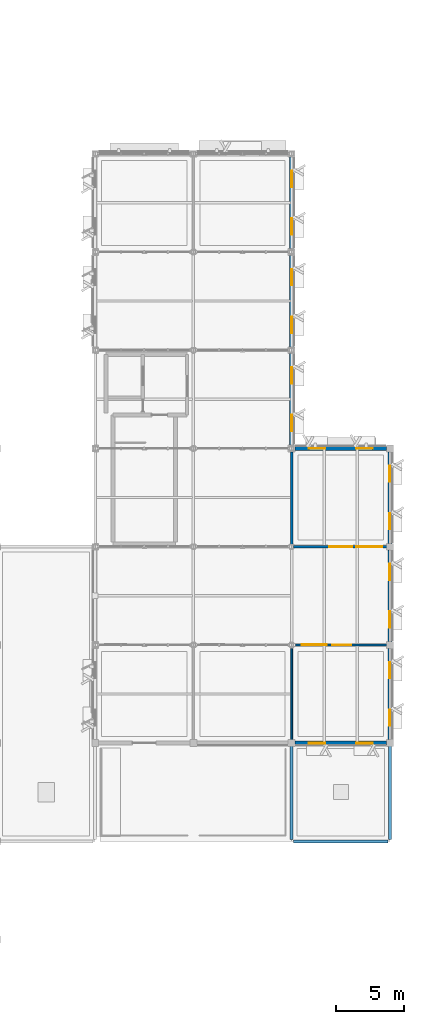
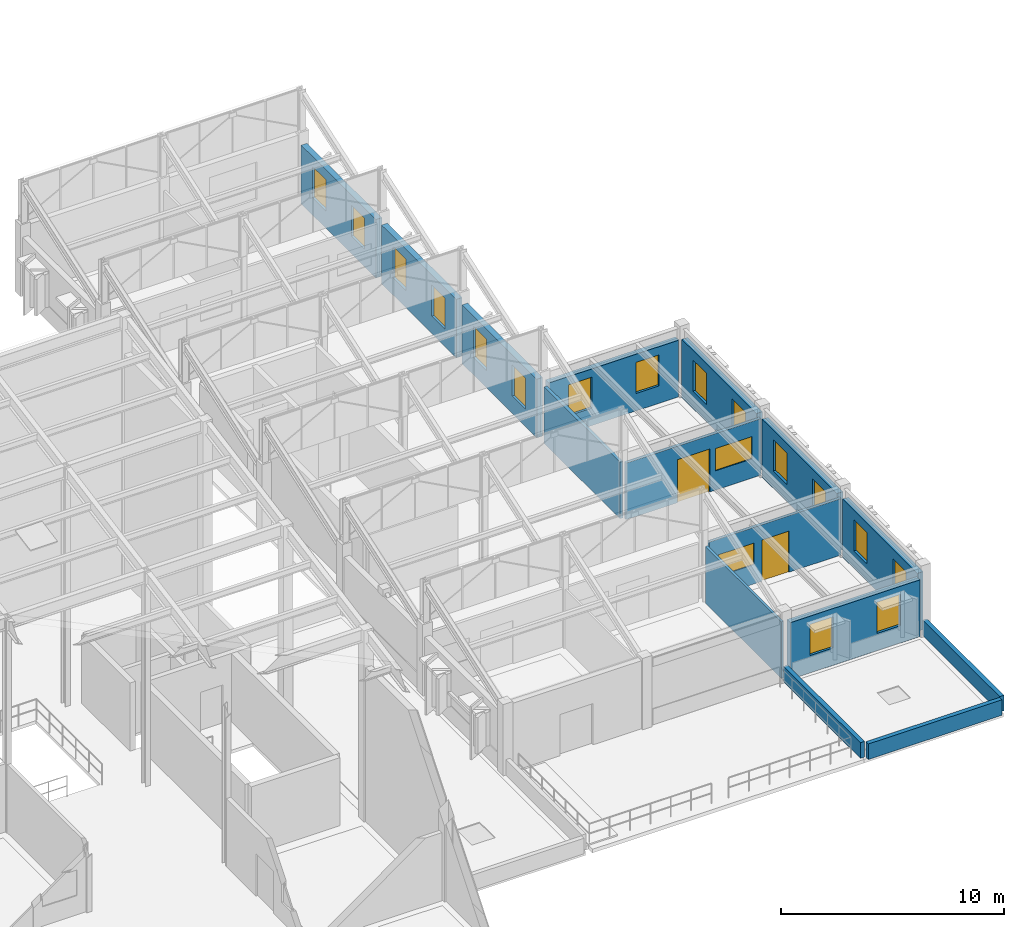
# One storey, part 41 of 82: 18 windows, 15 walls, 2 doors, 20 openings.
"""IFC4 building model written with IfcOpenShell, lengths in metres."""

from ifc_helpers import new_model, si_unit, direction, frame, frame_2d, origin, place, context, subcontext, project, spatial, rectangle, extrude, material, layer, layer_set, type_object, element, fill, save


model = new_model("IFC4")

# Units and contexts
model_context = context("Model", 3, precision=1e-05, world=origin(), true_north=direction((0.0, 1.0)))
body_context = subcontext(model_context, "Body", "Model", "MODEL_VIEW")
ifc_project = project(units=[si_unit("LENGTHUNIT", "METRE"), si_unit("AREAUNIT", "SQUARE_METRE"), si_unit("VOLUMEUNIT", "CUBIC_METRE"), si_unit("PLANEANGLEUNIT", "RADIAN"), si_unit("MASSUNIT", "GRAM", prefix="KILO")], contexts=[model_context])

# Site, building, storey
site_placement = place(None, origin())
site = spatial("IfcSite", under=ifc_project, at=site_placement, CompositionType="ELEMENT")
building_placement = place(site_placement, origin())
building = spatial("IfcBuilding", under=site, at=building_placement, Name="Sillqori Civic Hall", CompositionType="ELEMENT")
storey_placement = place(building_placement, frame((0.0, 0.0, 14.10009765625)))
storey = spatial("IfcBuildingStorey", under=building, at=storey_placement, Name="L04", CompositionType="ELEMENT", Elevation=14.10009765625)

# Wall, openings, windows
ifc_material_1 = material(Name="Precast concrete C40/50 (H40)", Category="concrete")
ifc_layer_1 = layer(ifc_material_1, 0.300048828125)
ifc_layer_set_1 = layer_set([ifc_layer_1], Name="Precast concrete C40/50 (H40)")
wall_type_1 = type_object("IfcWallType", Name="EW-LIME-300", PredefinedType="SOLIDWALL", material=ifc_layer_set_1)
wall_1_placement = place(storey_placement, frame((136.800048828125, 64.550048828125, 0.0), z_axis=(0.0, 0.0, 1.0), x_axis=(0.0, -1.0, 0.0)))
wall_1 = element("IfcWall", 1, at=wall_1_placement, inside=storey, type_object=wall_type_1, Name="L04 V3 exterior wall L04-18-08-E", PredefinedType="SOLIDWALL", context=body_context, shape_type="SweptSolid", body=[
    extrude(rectangle(XDim=6.699951171875, YDim=0.300048828125, at=frame_2d((3.35009765625, 0.0))), origin(), (0.0, 0.0, 1.0), 3.199951171875),
])
opening_1_placement = place(wall_1_placement, frame((1.008056640625, 0.0, 0.949951171875)))
opening_1 = element("IfcOpeningElement", 2, at=opening_1_placement, cuts=wall_1, Name="Opening W-22", PredefinedType="OPENING", context=body_context, shape_type="SweptSolid", body=[
    extrude(rectangle(XDim=1.199951171875, YDim=1.699951171875, at=frame_2d((0.60009765625, 0.85009765625))), frame((0.0, 0.159912109375, 0.0), z_axis=(0.0, -1.0, 0.0), x_axis=(1.0, 0.0, 0.0)), (0.0, 0.0, 1.0), 0.320068359375),
])
opening_2_placement = place(wall_1_placement, frame((4.491943359375, 0.0, 0.949951171875)))
opening_2 = element("IfcOpeningElement", 3, at=opening_2_placement, cuts=wall_1, Name="Opening W-22", PredefinedType="OPENING", context=body_context, shape_type="SweptSolid", body=[
    extrude(rectangle(XDim=1.199951171875, YDim=1.699951171875, at=frame_2d((0.60009765625, 0.85009765625))), frame((0.0, 0.159912109375, 0.0), z_axis=(0.0, -1.0, 0.0), x_axis=(1.0, 0.0, 0.0)), (0.0, 0.0, 1.0), 0.320068359375),
])
ifc_material_2 = material(Name="Thermally Broken Aluminium Low-E Window", Category="aluminium")
window_type_1 = type_object("IfcWindowType", Name="WIN-V5-120X170", PartitioningType="SINGLE_PANEL", PredefinedType="WINDOW", material=ifc_material_2)
window_1_placement = place(opening_1_placement, origin())
window_1 = element("IfcWindow", 4, at=window_1_placement, inside=storey, type_object=window_type_1, Name="L04 V3 window L04-18-08-E.1", OverallHeight=1.699951171875, OverallWidth=1.199951171875, PartitioningType="SINGLE_PANEL", PredefinedType="WINDOW", context=body_context, shape_type="SweptSolid", body=[
    extrude(rectangle(XDim=1.199951171875, YDim=1.699951171875, at=frame_2d((0.60009765625, 0.85009765625))), frame((0.0, 0.030029296875, 0.0), z_axis=(0.0, -1.0, 0.0), x_axis=(1.0, 0.0, 0.0)), (0.0, 0.0, 1.0), 0.06005859375),
])
fill(opening_1, window_1)
window_2_placement = place(opening_2_placement, origin())
window_2 = element("IfcWindow", 5, at=window_2_placement, inside=storey, type_object=window_type_1, Name="L04 V3 window L04-18-08-E.2", OverallHeight=1.699951171875, OverallWidth=1.199951171875, PartitioningType="SINGLE_PANEL", PredefinedType="WINDOW", context=body_context, shape_type="SweptSolid", body=[
    extrude(rectangle(XDim=1.199951171875, YDim=1.699951171875, at=frame_2d((0.60009765625, 0.85009765625))), frame((0.0, 0.030029296875, 0.0), z_axis=(0.0, -1.0, 0.0), x_axis=(1.0, 0.0, 0.0)), (0.0, 0.0, 1.0), 0.06005859375),
])
fill(opening_2, window_2)

wall_2_placement = place(storey_placement, frame((136.800048828125, 71.75, 0.0), z_axis=(0.0, 0.0, 1.0), x_axis=(0.0, -1.0, 0.0)))
wall_2 = element("IfcWall", 6, at=wall_2_placement, inside=storey, type_object=wall_type_1, Name="L04 V3 exterior wall L04-18-09-E", PredefinedType="SOLIDWALL", context=body_context, shape_type="SweptSolid", body=[
    extrude(rectangle(XDim=6.699951171875, YDim=0.300048828125, at=frame_2d((3.35009765625, 0.0))), origin(), (0.0, 0.0, 1.0), 3.199951171875),
])
opening_3_placement = place(wall_2_placement, frame((1.008056640625, 0.0, 0.949951171875)))
opening_3 = element("IfcOpeningElement", 7, at=opening_3_placement, cuts=wall_2, Name="Opening W-22", PredefinedType="OPENING", context=body_context, shape_type="SweptSolid", body=[
    extrude(rectangle(XDim=1.199951171875, YDim=1.699951171875, at=frame_2d((0.60009765625, 0.85009765625))), frame((0.0, 0.159912109375, 0.0), z_axis=(0.0, -1.0, 0.0), x_axis=(1.0, 0.0, 0.0)), (0.0, 0.0, 1.0), 0.320068359375),
])
opening_4_placement = place(wall_2_placement, frame((4.491943359375, 0.0, 0.949951171875)))
opening_4 = element("IfcOpeningElement", 8, at=opening_4_placement, cuts=wall_2, Name="Opening W-22", PredefinedType="OPENING", context=body_context, shape_type="SweptSolid", body=[
    extrude(rectangle(XDim=1.199951171875, YDim=1.699951171875, at=frame_2d((0.60009765625, 0.85009765625))), frame((0.0, 0.159912109375, 0.0), z_axis=(0.0, -1.0, 0.0), x_axis=(1.0, 0.0, 0.0)), (0.0, 0.0, 1.0), 0.320068359375),
])
window_3_placement = place(opening_3_placement, origin())
window_3 = element("IfcWindow", 9, at=window_3_placement, inside=storey, type_object=window_type_1, Name="L04 V3 window L04-18-09-E.1", OverallHeight=1.699951171875, OverallWidth=1.199951171875, PartitioningType="SINGLE_PANEL", PredefinedType="WINDOW", context=body_context, shape_type="SweptSolid", body=[
    extrude(rectangle(XDim=1.199951171875, YDim=1.699951171875, at=frame_2d((0.60009765625, 0.85009765625))), frame((0.0, 0.030029296875, 0.0), z_axis=(0.0, -1.0, 0.0), x_axis=(1.0, 0.0, 0.0)), (0.0, 0.0, 1.0), 0.06005859375),
])
fill(opening_3, window_3)
window_4_placement = place(opening_4_placement, origin())
window_4 = element("IfcWindow", 10, at=window_4_placement, inside=storey, type_object=window_type_1, Name="L04 V3 window L04-18-09-E.2", OverallHeight=1.699951171875, OverallWidth=1.199951171875, PartitioningType="SINGLE_PANEL", PredefinedType="WINDOW", context=body_context, shape_type="SweptSolid", body=[
    extrude(rectangle(XDim=1.199951171875, YDim=1.699951171875, at=frame_2d((0.60009765625, 0.85009765625))), frame((0.0, 0.030029296875, 0.0), z_axis=(0.0, -1.0, 0.0), x_axis=(1.0, 0.0, 0.0)), (0.0, 0.0, 1.0), 0.06005859375),
])
fill(opening_4, window_4)

wall_3_placement = place(storey_placement, frame((136.800048828125, 78.949951171875, 0.0), z_axis=(0.0, 0.0, 1.0), x_axis=(0.0, -1.0, 0.0)))
wall_3 = element("IfcWall", 11, at=wall_3_placement, inside=storey, type_object=wall_type_1, Name="L04 V3 exterior wall L04-18-10-E", PredefinedType="SOLIDWALL", context=body_context, shape_type="SweptSolid", body=[
    extrude(rectangle(XDim=6.699951171875, YDim=0.300048828125, at=frame_2d((3.35009765625, 0.0))), origin(), (0.0, 0.0, 1.0), 3.199951171875),
])
opening_5_placement = place(wall_3_placement, frame((1.008056640625, 0.0, 0.949951171875)))
opening_5 = element("IfcOpeningElement", 12, at=opening_5_placement, cuts=wall_3, Name="Opening W-22", PredefinedType="OPENING", context=body_context, shape_type="SweptSolid", body=[
    extrude(rectangle(XDim=1.199951171875, YDim=1.699951171875, at=frame_2d((0.60009765625, 0.85009765625))), frame((0.0, 0.159912109375, 0.0), z_axis=(0.0, -1.0, 0.0), x_axis=(1.0, 0.0, 0.0)), (0.0, 0.0, 1.0), 0.320068359375),
])
opening_6_placement = place(wall_3_placement, frame((4.491943359375, 0.0, 0.949951171875)))
opening_6 = element("IfcOpeningElement", 13, at=opening_6_placement, cuts=wall_3, Name="Opening W-22", PredefinedType="OPENING", context=body_context, shape_type="SweptSolid", body=[
    extrude(rectangle(XDim=1.199951171875, YDim=1.699951171875, at=frame_2d((0.60009765625, 0.85009765625))), frame((0.0, 0.159912109375, 0.0), z_axis=(0.0, -1.0, 0.0), x_axis=(1.0, 0.0, 0.0)), (0.0, 0.0, 1.0), 0.320068359375),
])
window_5_placement = place(opening_5_placement, origin())
window_5 = element("IfcWindow", 14, at=window_5_placement, inside=storey, type_object=window_type_1, Name="L04 V3 window L04-18-10-E.1", OverallHeight=1.699951171875, OverallWidth=1.199951171875, PartitioningType="SINGLE_PANEL", PredefinedType="WINDOW", context=body_context, shape_type="SweptSolid", body=[
    extrude(rectangle(XDim=1.199951171875, YDim=1.699951171875, at=frame_2d((0.60009765625, 0.85009765625))), frame((0.0, 0.030029296875, 0.0), z_axis=(0.0, -1.0, 0.0), x_axis=(1.0, 0.0, 0.0)), (0.0, 0.0, 1.0), 0.06005859375),
])
fill(opening_5, window_5)
window_6_placement = place(opening_6_placement, origin())
window_6 = element("IfcWindow", 15, at=window_6_placement, inside=storey, type_object=window_type_1, Name="L04 V3 window L04-18-10-E.2", OverallHeight=1.699951171875, OverallWidth=1.199951171875, PartitioningType="SINGLE_PANEL", PredefinedType="WINDOW", context=body_context, shape_type="SweptSolid", body=[
    extrude(rectangle(XDim=1.199951171875, YDim=1.699951171875, at=frame_2d((0.60009765625, 0.85009765625))), frame((0.0, 0.030029296875, 0.0), z_axis=(0.0, -1.0, 0.0), x_axis=(1.0, 0.0, 0.0)), (0.0, 0.0, 1.0), 0.06005859375),
])
fill(opening_6, window_6)

wall_4_placement = place(storey_placement, frame((143.75, 36.0, 0.0), z_axis=(0.0, 0.0, 1.0), x_axis=(-1.0, 0.0, 0.0)))
wall_4 = element("IfcWall", 16, at=wall_4_placement, inside=storey, type_object=wall_type_1, Name="L04 V3 exterior wall L04-19-05-S", PredefinedType="SOLIDWALL", context=body_context, shape_type="SweptSolid", body=[
    extrude(rectangle(XDim=6.699951171875, YDim=0.300048828125, at=frame_2d((3.35009765625, 0.0))), origin(), (0.0, 0.0, 1.0), 3.097900390625),
])
opening_7_placement = place(wall_4_placement, frame((1.008056640625, 0.0, 0.949951171875)))
opening_7 = element("IfcOpeningElement", 17, at=opening_7_placement, cuts=wall_4, Name="Opening W-22", PredefinedType="OPENING", context=body_context, shape_type="SweptSolid", body=[
    extrude(rectangle(XDim=1.199951171875, YDim=1.699951171875, at=frame_2d((0.60009765625, 0.85009765625))), frame((0.0, 0.159912109375, 0.0), z_axis=(0.0, -1.0, 0.0), x_axis=(1.0, 0.0, 0.0)), (0.0, 0.0, 1.0), 0.320068359375),
])
opening_8_placement = place(wall_4_placement, frame((4.491943359375, 0.0, 0.949951171875)))
opening_8 = element("IfcOpeningElement", 18, at=opening_8_placement, cuts=wall_4, Name="Opening W-22", PredefinedType="OPENING", context=body_context, shape_type="SweptSolid", body=[
    extrude(rectangle(XDim=1.199951171875, YDim=1.699951171875, at=frame_2d((0.60009765625, 0.85009765625))), frame((0.0, 0.159912109375, 0.0), z_axis=(0.0, -1.0, 0.0), x_axis=(1.0, 0.0, 0.0)), (0.0, 0.0, 1.0), 0.320068359375),
])
window_7_placement = place(opening_7_placement, origin())
window_7 = element("IfcWindow", 19, at=window_7_placement, inside=storey, type_object=window_type_1, Name="L04 V3 window L04-19-05-S.1", OverallHeight=1.699951171875, OverallWidth=1.199951171875, PartitioningType="SINGLE_PANEL", PredefinedType="WINDOW", context=body_context, shape_type="SweptSolid", body=[
    extrude(rectangle(XDim=1.199951171875, YDim=1.699951171875, at=frame_2d((0.60009765625, 0.85009765625))), frame((0.0, 0.030029296875, 0.0), z_axis=(0.0, -1.0, 0.0), x_axis=(1.0, 0.0, 0.0)), (0.0, 0.0, 1.0), 0.06005859375),
])
fill(opening_7, window_7)
window_8_placement = place(opening_8_placement, origin())
window_8 = element("IfcWindow", 20, at=window_8_placement, inside=storey, type_object=window_type_1, Name="L04 V3 window L04-19-05-S.2", OverallHeight=1.699951171875, OverallWidth=1.199951171875, PartitioningType="SINGLE_PANEL", PredefinedType="WINDOW", context=body_context, shape_type="SweptSolid", body=[
    extrude(rectangle(XDim=1.199951171875, YDim=1.699951171875, at=frame_2d((0.60009765625, 0.85009765625))), frame((0.0, 0.030029296875, 0.0), z_axis=(0.0, -1.0, 0.0), x_axis=(1.0, 0.0, 0.0)), (0.0, 0.0, 1.0), 0.06005859375),
])
fill(opening_8, window_8)

wall_5_placement = place(storey_placement, frame((144.0, 42.949951171875, 0.0), z_axis=(0.0, 0.0, 1.0), x_axis=(0.0, -1.0, 0.0)))
wall_5 = element("IfcWall", 21, at=wall_5_placement, inside=storey, type_object=wall_type_1, Name="L04 V3 exterior wall L04-19-05-E", PredefinedType="SOLIDWALL", context=body_context, shape_type="SweptSolid", body=[
    extrude(rectangle(XDim=6.699951171875, YDim=0.300048828125, at=frame_2d((3.35009765625, 0.0))), origin(), (0.0, 0.0, 1.0), 3.171875),
])
opening_9_placement = place(wall_5_placement, frame((1.008056640625, 0.0, 0.949951171875)))
opening_9 = element("IfcOpeningElement", 22, at=opening_9_placement, cuts=wall_5, Name="Opening W-22", PredefinedType="OPENING", context=body_context, shape_type="SweptSolid", body=[
    extrude(rectangle(XDim=1.199951171875, YDim=1.699951171875, at=frame_2d((0.60009765625, 0.85009765625))), frame((0.0, 0.159912109375, 0.0), z_axis=(0.0, -1.0, 0.0), x_axis=(1.0, 0.0, 0.0)), (0.0, 0.0, 1.0), 0.320068359375),
])
opening_10_placement = place(wall_5_placement, frame((4.491943359375, 0.0, 0.949951171875)))
opening_10 = element("IfcOpeningElement", 23, at=opening_10_placement, cuts=wall_5, Name="Opening W-22", PredefinedType="OPENING", context=body_context, shape_type="SweptSolid", body=[
    extrude(rectangle(XDim=1.199951171875, YDim=1.699951171875, at=frame_2d((0.60009765625, 0.85009765625))), frame((0.0, 0.159912109375, 0.0), z_axis=(0.0, -1.0, 0.0), x_axis=(1.0, 0.0, 0.0)), (0.0, 0.0, 1.0), 0.320068359375),
])
window_9_placement = place(opening_9_placement, origin())
window_9 = element("IfcWindow", 24, at=window_9_placement, inside=storey, type_object=window_type_1, Name="L04 V3 window L04-19-05-E.1", OverallHeight=1.699951171875, OverallWidth=1.199951171875, PartitioningType="SINGLE_PANEL", PredefinedType="WINDOW", context=body_context, shape_type="SweptSolid", body=[
    extrude(rectangle(XDim=1.199951171875, YDim=1.699951171875, at=frame_2d((0.60009765625, 0.85009765625))), frame((0.0, 0.030029296875, 0.0), z_axis=(0.0, -1.0, 0.0), x_axis=(1.0, 0.0, 0.0)), (0.0, 0.0, 1.0), 0.06005859375),
])
fill(opening_9, window_9)
window_10_placement = place(opening_10_placement, origin())
window_10 = element("IfcWindow", 25, at=window_10_placement, inside=storey, type_object=window_type_1, Name="L04 V3 window L04-19-05-E.2", OverallHeight=1.699951171875, OverallWidth=1.199951171875, PartitioningType="SINGLE_PANEL", PredefinedType="WINDOW", context=body_context, shape_type="SweptSolid", body=[
    extrude(rectangle(XDim=1.199951171875, YDim=1.699951171875, at=frame_2d((0.60009765625, 0.85009765625))), frame((0.0, 0.030029296875, 0.0), z_axis=(0.0, -1.0, 0.0), x_axis=(1.0, 0.0, 0.0)), (0.0, 0.0, 1.0), 0.06005859375),
])
fill(opening_10, window_10)

wall_6_placement = place(storey_placement, frame((144.0, 50.14990234375, 0.0), z_axis=(0.0, 0.0, 1.0), x_axis=(0.0, -1.0, 0.0)))
wall_6 = element("IfcWall", 26, at=wall_6_placement, inside=storey, type_object=wall_type_1, Name="L04 V3 exterior wall L04-19-06-E", PredefinedType="SOLIDWALL", context=body_context, shape_type="SweptSolid", body=[
    extrude(rectangle(XDim=6.699951171875, YDim=0.300048828125, at=frame_2d((3.35009765625, 0.0))), origin(), (0.0, 0.0, 1.0), 3.171875),
])
opening_11_placement = place(wall_6_placement, frame((1.008056640625, 0.0, 0.949951171875)))
opening_11 = element("IfcOpeningElement", 27, at=opening_11_placement, cuts=wall_6, Name="Opening W-22", PredefinedType="OPENING", context=body_context, shape_type="SweptSolid", body=[
    extrude(rectangle(XDim=1.199951171875, YDim=1.699951171875, at=frame_2d((0.60009765625, 0.85009765625))), frame((0.0, 0.159912109375, 0.0), z_axis=(0.0, -1.0, 0.0), x_axis=(1.0, 0.0, 0.0)), (0.0, 0.0, 1.0), 0.320068359375),
])
opening_12_placement = place(wall_6_placement, frame((4.491943359375, 0.0, 0.949951171875)))
opening_12 = element("IfcOpeningElement", 28, at=opening_12_placement, cuts=wall_6, Name="Opening W-22", PredefinedType="OPENING", context=body_context, shape_type="SweptSolid", body=[
    extrude(rectangle(XDim=1.199951171875, YDim=1.699951171875, at=frame_2d((0.60009765625, 0.85009765625))), frame((0.0, 0.159912109375, 0.0), z_axis=(0.0, -1.0, 0.0), x_axis=(1.0, 0.0, 0.0)), (0.0, 0.0, 1.0), 0.320068359375),
])
window_11_placement = place(opening_11_placement, origin())
window_11 = element("IfcWindow", 29, at=window_11_placement, inside=storey, type_object=window_type_1, Name="L04 V3 window L04-19-06-E.1", OverallHeight=1.699951171875, OverallWidth=1.199951171875, PartitioningType="SINGLE_PANEL", PredefinedType="WINDOW", context=body_context, shape_type="SweptSolid", body=[
    extrude(rectangle(XDim=1.199951171875, YDim=1.699951171875, at=frame_2d((0.60009765625, 0.85009765625))), frame((0.0, 0.030029296875, 0.0), z_axis=(0.0, -1.0, 0.0), x_axis=(1.0, 0.0, 0.0)), (0.0, 0.0, 1.0), 0.06005859375),
])
fill(opening_11, window_11)
window_12_placement = place(opening_12_placement, origin())
window_12 = element("IfcWindow", 30, at=window_12_placement, inside=storey, type_object=window_type_1, Name="L04 V3 window L04-19-06-E.2", OverallHeight=1.699951171875, OverallWidth=1.199951171875, PartitioningType="SINGLE_PANEL", PredefinedType="WINDOW", context=body_context, shape_type="SweptSolid", body=[
    extrude(rectangle(XDim=1.199951171875, YDim=1.699951171875, at=frame_2d((0.60009765625, 0.85009765625))), frame((0.0, 0.030029296875, 0.0), z_axis=(0.0, -1.0, 0.0), x_axis=(1.0, 0.0, 0.0)), (0.0, 0.0, 1.0), 0.06005859375),
])
fill(opening_12, window_12)

wall_7_placement = place(storey_placement, frame((137.050048828125, 57.60009765625, 0.0), z_axis=(0.0, 0.0, 1.0), x_axis=(1.0, 0.0, 0.0)))
wall_7 = element("IfcWall", 31, at=wall_7_placement, inside=storey, type_object=wall_type_1, Name="L04 V3 exterior wall L04-19-07-N", PredefinedType="SOLIDWALL", context=body_context, shape_type="SweptSolid", body=[
    extrude(rectangle(XDim=6.699951171875, YDim=0.300048828125, at=frame_2d((3.35009765625, 0.0))), origin(), (0.0, 0.0, 1.0), 3.097900390625),
])
opening_13_placement = place(wall_7_placement, frame((1.008056640625, 0.0, 0.949951171875)))
opening_13 = element("IfcOpeningElement", 32, at=opening_13_placement, cuts=wall_7, Name="Opening W-22", PredefinedType="OPENING", context=body_context, shape_type="SweptSolid", body=[
    extrude(rectangle(XDim=1.199951171875, YDim=1.699951171875, at=frame_2d((0.60009765625, 0.85009765625))), frame((0.0, 0.159912109375, 0.0), z_axis=(0.0, -1.0, 0.0), x_axis=(1.0, 0.0, 0.0)), (0.0, 0.0, 1.0), 0.320068359375),
])
opening_14_placement = place(wall_7_placement, frame((4.491943359375, 0.0, 0.949951171875)))
opening_14 = element("IfcOpeningElement", 33, at=opening_14_placement, cuts=wall_7, Name="Opening W-22", PredefinedType="OPENING", context=body_context, shape_type="SweptSolid", body=[
    extrude(rectangle(XDim=1.199951171875, YDim=1.699951171875, at=frame_2d((0.60009765625, 0.85009765625))), frame((0.0, 0.159912109375, 0.0), z_axis=(0.0, -1.0, 0.0), x_axis=(1.0, 0.0, 0.0)), (0.0, 0.0, 1.0), 0.320068359375),
])
window_13_placement = place(opening_13_placement, origin())
window_13 = element("IfcWindow", 34, at=window_13_placement, inside=storey, type_object=window_type_1, Name="L04 V3 window L04-19-07-N.1", OverallHeight=1.699951171875, OverallWidth=1.199951171875, PartitioningType="SINGLE_PANEL", PredefinedType="WINDOW", context=body_context, shape_type="SweptSolid", body=[
    extrude(rectangle(XDim=1.199951171875, YDim=1.699951171875, at=frame_2d((0.60009765625, 0.85009765625))), frame((0.0, 0.030029296875, 0.0), z_axis=(0.0, -1.0, 0.0), x_axis=(1.0, 0.0, 0.0)), (0.0, 0.0, 1.0), 0.06005859375),
])
fill(opening_13, window_13)
window_14_placement = place(opening_14_placement, origin())
window_14 = element("IfcWindow", 35, at=window_14_placement, inside=storey, type_object=window_type_1, Name="L04 V3 window L04-19-07-N.2", OverallHeight=1.699951171875, OverallWidth=1.199951171875, PartitioningType="SINGLE_PANEL", PredefinedType="WINDOW", context=body_context, shape_type="SweptSolid", body=[
    extrude(rectangle(XDim=1.199951171875, YDim=1.699951171875, at=frame_2d((0.60009765625, 0.85009765625))), frame((0.0, 0.030029296875, 0.0), z_axis=(0.0, -1.0, 0.0), x_axis=(1.0, 0.0, 0.0)), (0.0, 0.0, 1.0), 0.06005859375),
])
fill(opening_14, window_14)

wall_8_placement = place(storey_placement, frame((144.0, 57.35009765625, 0.0), z_axis=(0.0, 0.0, 1.0), x_axis=(0.0, -1.0, 0.0)))
wall_8 = element("IfcWall", 36, at=wall_8_placement, inside=storey, type_object=wall_type_1, Name="L04 V3 exterior wall L04-19-07-E", PredefinedType="SOLIDWALL", context=body_context, shape_type="SweptSolid", body=[
    extrude(rectangle(XDim=6.7001953125, YDim=0.300048828125, at=frame_2d((3.35009765625, 0.0))), origin(), (0.0, 0.0, 1.0), 3.171875),
])
opening_15_placement = place(wall_8_placement, frame((1.008056640625, 0.0, 0.949951171875)))
opening_15 = element("IfcOpeningElement", 37, at=opening_15_placement, cuts=wall_8, Name="Opening W-22", PredefinedType="OPENING", context=body_context, shape_type="SweptSolid", body=[
    extrude(rectangle(XDim=1.199951171875, YDim=1.699951171875, at=frame_2d((0.60009765625, 0.85009765625))), frame((0.0, 0.159912109375, 0.0), z_axis=(0.0, -1.0, 0.0), x_axis=(1.0, 0.0, 0.0)), (0.0, 0.0, 1.0), 0.320068359375),
])
opening_16_placement = place(wall_8_placement, frame((4.491943359375, 0.0, 0.949951171875)))
opening_16 = element("IfcOpeningElement", 38, at=opening_16_placement, cuts=wall_8, Name="Opening W-22", PredefinedType="OPENING", context=body_context, shape_type="SweptSolid", body=[
    extrude(rectangle(XDim=1.199951171875, YDim=1.699951171875, at=frame_2d((0.60009765625, 0.85009765625))), frame((0.0, 0.159912109375, 0.0), z_axis=(0.0, -1.0, 0.0), x_axis=(1.0, 0.0, 0.0)), (0.0, 0.0, 1.0), 0.320068359375),
])
window_15_placement = place(opening_15_placement, origin())
window_15 = element("IfcWindow", 39, at=window_15_placement, inside=storey, type_object=window_type_1, Name="L04 V3 window L04-19-07-E.1", OverallHeight=1.699951171875, OverallWidth=1.199951171875, PartitioningType="SINGLE_PANEL", PredefinedType="WINDOW", context=body_context, shape_type="SweptSolid", body=[
    extrude(rectangle(XDim=1.199951171875, YDim=1.699951171875, at=frame_2d((0.60009765625, 0.85009765625))), frame((0.0, 0.030029296875, 0.0), z_axis=(0.0, -1.0, 0.0), x_axis=(1.0, 0.0, 0.0)), (0.0, 0.0, 1.0), 0.06005859375),
])
fill(opening_15, window_15)
window_16_placement = place(opening_16_placement, origin())
window_16 = element("IfcWindow", 40, at=window_16_placement, inside=storey, type_object=window_type_1, Name="L04 V3 window L04-19-07-E.2", OverallHeight=1.699951171875, OverallWidth=1.199951171875, PartitioningType="SINGLE_PANEL", PredefinedType="WINDOW", context=body_context, shape_type="SweptSolid", body=[
    extrude(rectangle(XDim=1.199951171875, YDim=1.699951171875, at=frame_2d((0.60009765625, 0.85009765625))), frame((0.0, 0.030029296875, 0.0), z_axis=(0.0, -1.0, 0.0), x_axis=(1.0, 0.0, 0.0)), (0.0, 0.0, 1.0), 0.06005859375),
])
fill(opening_16, window_16)

# Wall
ifc_material_3 = material(Name="Double-Board Acoustic Partition 125", Category="gypsum")
ifc_layer_2 = layer(ifc_material_3, 0.125)
ifc_layer_set_2 = layer_set([ifc_layer_2], Name="Double-Board Acoustic Partition 125")
wall_type_2 = type_object("IfcWallType", Name="PT-GYP-125", PredefinedType="PARTITIONING", material=ifc_layer_set_2)
wall_9_placement = place(storey_placement, frame((136.800048828125, 42.919921875, 0.0), z_axis=(0.0, 0.0, 1.0), x_axis=(0.0, -1.0, 0.0)))
element("IfcWall", 41, at=wall_9_placement, inside=storey, type_object=wall_type_2, Name="Parliamentary Scholars Study Room partition E3", PredefinedType="PARTITIONING", context=body_context, shape_type="SweptSolid", body=[
    extrude(rectangle(XDim=6.7998046875, YDim=0.125, at=frame_2d((3.39990234375, 0.0))), origin(), (0.0, 0.0, 1.0), 3.087890625),
])

# Wall, openings, door, window
ifc_material_4 = material(Name="Corridor Fire-Rated Partition 150", Category="gypsum")
ifc_layer_3 = layer(ifc_material_4, 0.14990234375)
ifc_layer_set_3 = layer_set([ifc_layer_3], Name="Corridor Fire-Rated Partition 150")
wall_type_3 = type_object("IfcWallType", Name="PT-GYP-150", PredefinedType="PARTITIONING", material=ifc_layer_set_3)
wall_10_placement = place(storey_placement, frame((137.080078125, 43.199951171875, 0.0), z_axis=(0.0, 0.0, 1.0), x_axis=(1.0, 0.0, 0.0)))
wall_10 = element("IfcWall", 42, at=wall_10_placement, inside=storey, type_object=wall_type_3, Name="Constitutional Law Open Book Stacks L04-05 partition N1", PredefinedType="PARTITIONING", context=body_context, shape_type="SweptSolid", body=[
    extrude(rectangle(XDim=6.7998046875, YDim=0.14990234375, at=frame_2d((3.39990234375, 0.0))), origin(), (0.0, 0.0, 1.0), 3.087890625),
])
opening_17_placement = place(wall_10_placement, frame((2.699951171875, 0.0, 0.0)))
opening_17 = element("IfcOpeningElement", 43, at=opening_17_placement, cuts=wall_10, Name="Opening ID-10", PredefinedType="OPENING", context=body_context, shape_type="SweptSolid", body=[
    extrude(rectangle(XDim=1.39990234375, YDim=2.25, at=frame_2d((0.699951171875, 1.125))), frame((0.0, 0.0849609375, 0.0), z_axis=(0.0, -1.0, 0.0), x_axis=(1.0, 0.0, 0.0)), (0.0, 0.0, 1.0), 0.169921875),
])
opening_18_placement = place(wall_10_placement, frame((0.449951171875, 0.0, 1.050048828125)))
opening_18 = element("IfcOpeningElement", 44, at=opening_18_placement, cuts=wall_10, Name="Opening IW-15", PredefinedType="OPENING", context=body_context, shape_type="SweptSolid", body=[
    extrude(rectangle(XDim=1.85009765625, YDim=1.179931640625, at=frame_2d((0.925048828125, 0.58984375))), frame((0.0, 0.0849609375, 0.0), z_axis=(0.0, -1.0, 0.0), x_axis=(1.0, 0.0, 0.0)), (0.0, 0.0, 1.0), 0.169921875),
])
ifc_material_5 = material(Name="Open Stacks Double Leaf Fire Door", Category="timber")
door_type_1 = type_object("IfcDoorType", Name="IDR-STK-140X225", OperationType="NOTDEFINED", PredefinedType="DOOR", material=ifc_material_5)
door_1_placement = place(opening_17_placement, origin())
door_1 = element("IfcDoor", 45, at=door_1_placement, inside=storey, type_object=door_type_1, Name="Constitutional Law Open Book Stacks L04-05 entrance door", OperationType="DOUBLE_DOOR_SINGLE_SWING", OverallHeight=2.25, OverallWidth=1.39990234375, PredefinedType="DOOR", context=body_context, shape_type="SweptSolid", body=[
    extrude(rectangle(XDim=1.39990234375, YDim=2.25, at=frame_2d((0.699951171875, 1.125))), frame((0.0, 0.02490234375, 0.0), z_axis=(0.0, -1.0, 0.0), x_axis=(1.0, 0.0, 0.0)), (0.0, 0.0, 1.0), 0.050048828125),
])
fill(opening_17, door_1)
ifc_material_6 = material(Name="Acoustic Laminated Interior Clerestory Glazing", Category="glass")
window_type_2 = type_object("IfcWindowType", Name="IWN-STU-185X118", PartitioningType="SINGLE_PANEL", PredefinedType="WINDOW", material=ifc_material_6)
window_17_placement = place(opening_18_placement, origin())
window_17 = element("IfcWindow", 46, at=window_17_placement, inside=storey, type_object=window_type_2, Name="Constitutional Law Open Book Stacks L04-05 borrowed-light screen", OverallHeight=1.179931640625, OverallWidth=1.85009765625, PartitioningType="SINGLE_PANEL", PredefinedType="WINDOW", context=body_context, shape_type="SweptSolid", body=[
    extrude(rectangle(XDim=1.85009765625, YDim=1.179931640625, at=frame_2d((0.925048828125, 0.58984375))), frame((0.0, 0.030029296875, 0.0), z_axis=(0.0, -1.0, 0.0), x_axis=(1.0, 0.0, 0.0)), (0.0, 0.0, 1.0), 0.06005859375),
])
fill(opening_18, window_17)

ifc_material_7 = material(Name="Committee Acoustic Baffle Wall 162", Category="gypsum")
ifc_layer_4 = layer(ifc_material_7, 0.162109375)
ifc_layer_set_4 = layer_set([ifc_layer_4], Name="Committee Acoustic Baffle Wall 162")
wall_type_4 = type_object("IfcWallType", Name="PT-GYP-162", PredefinedType="PARTITIONING", material=ifc_layer_set_4)
wall_11_placement = place(storey_placement, frame((143.8798828125, 50.39990234375, 0.0), z_axis=(0.0, 0.0, 1.0), x_axis=(-1.0, 0.0, 0.0)))
wall_11 = element("IfcWall", 47, at=wall_11_placement, inside=storey, type_object=wall_type_4, Name="Parliamentary Scholars Study Room L04-06 partition S1", PredefinedType="PARTITIONING", context=body_context, shape_type="SweptSolid", body=[
    extrude(rectangle(XDim=6.9599609375, YDim=0.162109375, at=frame_2d((3.47998046875, 0.0))), origin(), (0.0, 0.0, 1.0), 3.087890625),
])
opening_19_placement = place(wall_11_placement, frame((2.639892578125, 0.0, 0.0)))
opening_19 = element("IfcOpeningElement", 48, at=opening_19_placement, cuts=wall_11, Name="Opening ID-09", PredefinedType="OPENING", context=body_context, shape_type="SweptSolid", body=[
    extrude(rectangle(XDim=1.679931640625, YDim=2.35009765625, at=frame_2d((0.83984375, 1.175048828125))), frame((0.0, 0.091064453125, 0.0), z_axis=(0.0, -1.0, 0.0), x_axis=(1.0, 0.0, 0.0)), (0.0, 0.0, 1.0), 0.18212890625),
])
opening_20_placement = place(wall_11_placement, frame((0.449951171875, 0.0, 1.050048828125)))
opening_20 = element("IfcOpeningElement", 49, at=opening_20_placement, cuts=wall_11, Name="Opening IW-16", PredefinedType="OPENING", context=body_context, shape_type="SweptSolid", body=[
    extrude(rectangle(XDim=1.89990234375, YDim=1.219970703125, at=frame_2d((0.949951171875, 0.60986328125))), frame((0.0, 0.091064453125, 0.0), z_axis=(0.0, -1.0, 0.0), x_axis=(1.0, 0.0, 0.0)), (0.0, 0.0, 1.0), 0.18212890625),
])
ifc_material_8 = material(Name="Library Reading Room Acoustic Door", Category="timber")
door_type_2 = type_object("IfcDoorType", Name="IDR-LIB-168X235", OperationType="NOTDEFINED", PredefinedType="DOOR", material=ifc_material_8)
door_2_placement = place(opening_19_placement, origin())
door_2 = element("IfcDoor", 50, at=door_2_placement, inside=storey, type_object=door_type_2, Name="Parliamentary Scholars Study Room L04-06 entrance door", OperationType="DOUBLE_DOOR_SINGLE_SWING", OverallHeight=2.35009765625, OverallWidth=1.679931640625, PredefinedType="DOOR", context=body_context, shape_type="SweptSolid", body=[
    extrude(rectangle(XDim=1.679931640625, YDim=2.35009765625, at=frame_2d((0.83984375, 1.175048828125))), frame((0.0, 0.02490234375, 0.0), z_axis=(0.0, -1.0, 0.0), x_axis=(1.0, 0.0, 0.0)), (0.0, 0.0, 1.0), 0.050048828125),
])
fill(opening_19, door_2)
window_type_3 = type_object("IfcWindowType", Name="IWN-STU-190X122", PartitioningType="SINGLE_PANEL", PredefinedType="WINDOW", material=ifc_material_6)
window_18_placement = place(opening_20_placement, origin())
window_18 = element("IfcWindow", 51, at=window_18_placement, inside=storey, type_object=window_type_3, Name="Parliamentary Scholars Study Room L04-06 borrowed-light screen", OverallHeight=1.219970703125, OverallWidth=1.89990234375, PartitioningType="SINGLE_PANEL", PredefinedType="WINDOW", context=body_context, shape_type="SweptSolid", body=[
    extrude(rectangle(XDim=1.89990234375, YDim=1.219970703125, at=frame_2d((0.949951171875, 0.60986328125))), frame((0.0, 0.030029296875, 0.0), z_axis=(0.0, -1.0, 0.0), x_axis=(1.0, 0.0, 0.0)), (0.0, 0.0, 1.0), 0.06005859375),
])
fill(opening_20, window_18)

# Walls
wall_12_placement = place(storey_placement, frame((136.800048828125, 50.52001953125, 0.0), z_axis=(0.0, 0.0, 1.0), x_axis=(0.0, 1.0, 0.0)))
element("IfcWall", 52, at=wall_12_placement, inside=storey, type_object=wall_type_4, Name="Parliamentary Scholars Study Room L04-06 partition W2", PredefinedType="PARTITIONING", context=body_context, shape_type="SweptSolid", body=[
    extrude(rectangle(XDim=6.800048828125, YDim=0.162109375, at=frame_2d((3.39990234375, 0.0))), origin(), (0.0, 0.0, 1.0), 3.087890625),
])
ifc_layer_5 = layer(ifc_material_1, 0.219970703125)
ifc_layer_set_5 = layer_set([ifc_layer_5], Name="Precast concrete C40/50 (H40)")
wall_type_5 = type_object("IfcWallType", Name="WP-PAR-220", PredefinedType="PARAPET", material=ifc_layer_set_5)
for number, where, z_axis, x_axis, name in (
    (53, (143.85009765625, 28.800048828125, 0.0), (0.0, 0.0, 1.0), (-1.0, 0.0, 0.0), "L04 roof parapet 00"),
    (54, (136.800048828125, 28.949951171875, 0.0), (0.0, 0.0, 1.0), (0.0, 1.0, 0.0), "L04 roof parapet 01"),
    (55, (144.0, 35.85009765625, 0.0), (0.0, 0.0, 1.0), (0.0, -1.0, 0.0), "L04 roof parapet 03"),
):
    element("IfcWall", number, at=place(storey_placement, frame(where, z_axis=z_axis, x_axis=x_axis)), inside=storey, type_object=wall_type_5, Name=name, PredefinedType="PARAPET", context=body_context, shape_type="SweptSolid", body=[
        extrude(rectangle(XDim=6.900146484375, YDim=0.219970703125, at=frame_2d((3.4501953125, 0.0))), origin(), (0.0, 0.0, 1.0), 0.849853515625),
    ])

save(model, "model.ifc")
